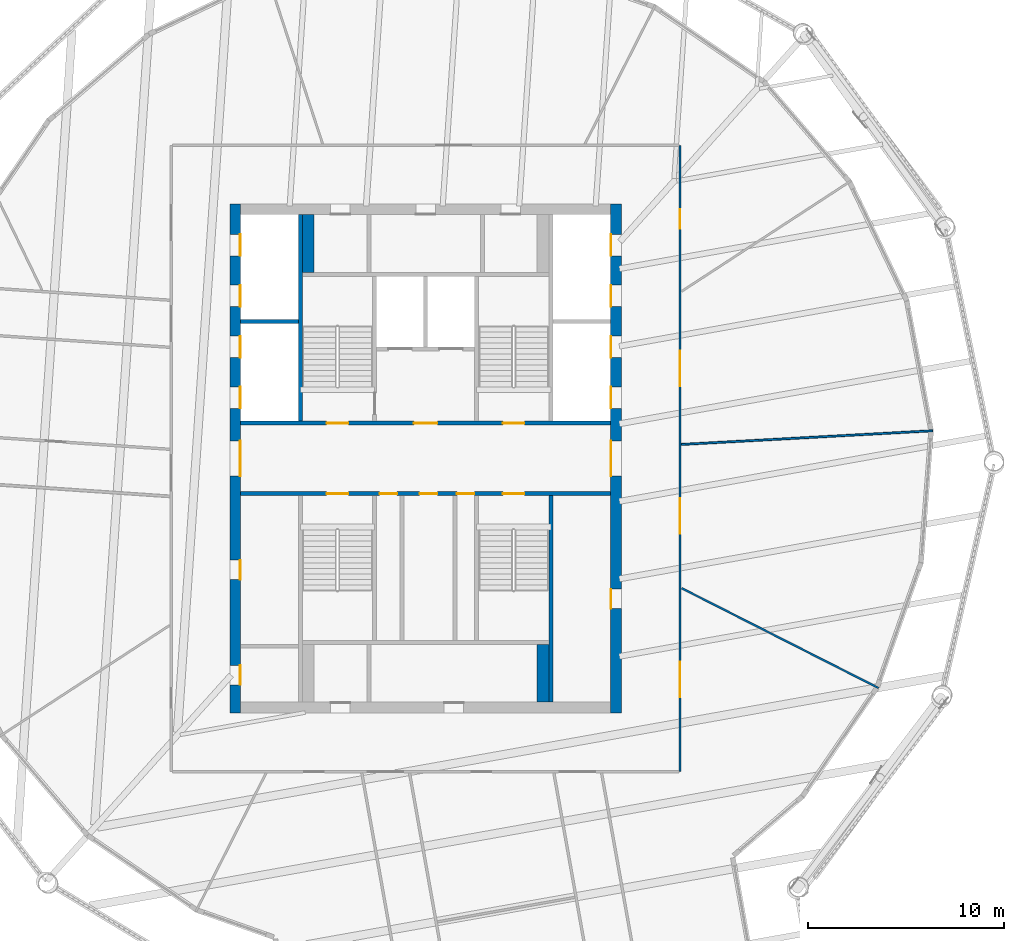
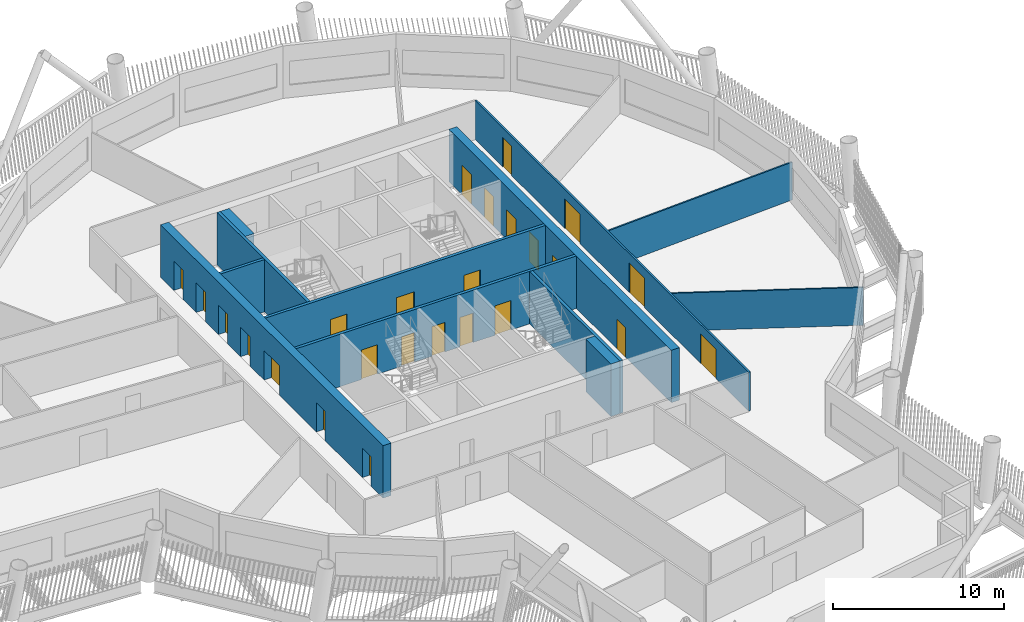
# One storey, part 5 of 22: 25 doors, 12 walls, 25 openings.
"""IFC4 building model written with IfcOpenShell, lengths in metres."""

import ifcopenshell
import ifcopenshell.guid

model = None  # the IFC model being written
_history = None  # IfcOwnerHistory: only IFC2X3 demands one
_inside = {}  # id of a spatial element -> (the spatial element, [elements in it])
_under = {}  # id of a project, library or spatial element -> (it, [spatial elements below it])
_declared = {}  # id of a project -> (the project, [libraries it declares])
_typed = {}  # id of a type object -> (the type object, [elements of that type])
_made_of = {}  # id of a material, layer set ... -> (it, [elements and type objects made of it])


def new_model(schema):
    """Start an empty IFC model of exactly this schema.

    Asked for "IFC4X3", IfcOpenShell would pick the latest addendum, in which some entities
    have other attributes; the version numbers below select the first issue.
    IFC2X3 requires an IfcOwnerHistory on every rooted entity: one is made here for all.
    """
    global model, _history
    if schema == "IFC4X3":
        model = ifcopenshell.file(schema_version=(4, 3, 0, 0))
    else:
        model = ifcopenshell.file(schema=schema)
    _inside.clear()
    _under.clear()
    _declared.clear()
    _typed.clear()
    _made_of.clear()
    _history = None
    if model.schema == "IFC2X3":
        org = make("IfcOrganization", Name="unknown")
        user = make(
            "IfcPersonAndOrganization",
            ThePerson=make("IfcPerson", FamilyName="unknown"),
            TheOrganization=org,
        )
        app = make(
            "IfcApplication",
            ApplicationDeveloper=org,
            Version="unknown",
            ApplicationFullName="unknown",
            ApplicationIdentifier="unknown",
        )
        _history = make(
            "IfcOwnerHistory",
            OwningUser=user,
            OwningApplication=app,
            ChangeAction="ADDED",
            CreationDate=0,
        )
    return model


def make(cls, **values):
    """One entity of the class cls with the attributes given. An attribute that is None is left unset."""
    return model.create_entity(
        cls, **{name: value for name, value in values.items() if value is not None}
    )


def rooted(cls, **values):
    """An entity with a GlobalId (a new one), such as an element, a storey or a relation."""
    return make(cls, GlobalId=ifcopenshell.guid.new(), OwnerHistory=_history, **values)


def si_unit(unit_type, name, prefix=None):
    """IfcSIUnit, for example si_unit("LENGTHUNIT", "METRE", prefix="MILLI")."""
    return make("IfcSIUnit", UnitType=unit_type, Prefix=prefix, Name=name)


def assignment(units):
    """IfcUnitAssignment: the units of a project."""
    return None if units is None else make("IfcUnitAssignment", Units=units)


def point(xyz):
    """IfcCartesianPoint."""
    return None if xyz is None else make("IfcCartesianPoint", Coordinates=xyz)


def direction(xyz):
    """IfcDirection."""
    return None if xyz is None else make("IfcDirection", DirectionRatios=xyz)


def frame(location, z_axis=None, x_axis=None):
    """IfcAxis2Placement3D, a coordinate frame: its origin and axes. An axis left out is left unset."""
    return make(
        "IfcAxis2Placement3D",
        Location=point(location),
        Axis=direction(z_axis),
        RefDirection=direction(x_axis),
    )


def frame_2d(location, x_axis=None):
    """IfcAxis2Placement2D, a coordinate frame in the plane: its origin and x axis."""
    return make(
        "IfcAxis2Placement2D", Location=point(location), RefDirection=direction(x_axis)
    )


def origin():
    """The frame at (0, 0, 0) with its axes left unset."""
    return frame((0.0, 0.0, 0.0))


def place(relative_to, where):
    """IfcLocalPlacement: puts the frame where relative to a parent placement (None: the world)."""
    return make(
        "IfcLocalPlacement", PlacementRelTo=relative_to, RelativePlacement=where
    )


def context(
    kind, dimensions, precision=None, world=None, true_north=None, identifier=None
):
    """IfcGeometricRepresentationContext, for example the 3D "Model" context."""
    return make(
        "IfcGeometricRepresentationContext",
        ContextIdentifier=identifier,
        ContextType=kind,
        CoordinateSpaceDimension=dimensions,
        Precision=precision,
        WorldCoordinateSystem=world,
        TrueNorth=true_north,
    )


def subcontext(parent, identifier, kind, view, scale=None):
    """IfcGeometricRepresentationSubContext, for example "Body" below "Model"."""
    return make(
        "IfcGeometricRepresentationSubContext",
        ContextIdentifier=identifier,
        ContextType=kind,
        ParentContext=parent,
        TargetScale=scale,
        TargetView=view,
    )


def project(units=None, contexts=None):
    """IfcProject with its units and contexts."""
    return rooted(
        "IfcProject",
        Name="project",
        RepresentationContexts=contexts,
        UnitsInContext=assignment(units),
    )


def spatial(cls, under=None, at=None, **own):
    """A site, building, storey or space (cls), placed at a placement, below another one or the project."""
    s = rooted(cls, ObjectPlacement=at, **own)
    if under is not None:
        _under.setdefault(under.id(), (under, []))[1].append(s)
    return s


def profile(cls, at=None, kind="AREA", **sizes):
    """A parametric profile (cls). Its sizes go by their IFC names, for example OverallWidth=200.0."""
    return make(cls, ProfileType=kind, Position=at, **sizes)


def rectangle(**sizes):
    """IfcRectangleProfileDef."""
    return profile("IfcRectangleProfileDef", **sizes)


def extrude(swept, where, along, depth):
    """IfcExtrudedAreaSolid: the profile swept, set in the frame where, extruded along a direction by depth."""
    return make(
        "IfcExtrudedAreaSolid",
        SweptArea=swept,
        Position=where,
        ExtrudedDirection=direction(along),
        Depth=depth,
    )


def shape(context_of_items, identifier, shape_type, items):
    """IfcShapeRepresentation: the items that make up one representation, for example the "Body"."""
    return make(
        "IfcShapeRepresentation",
        ContextOfItems=context_of_items,
        RepresentationIdentifier=identifier,
        RepresentationType=shape_type,
        Items=items,
    )


def material(Name=None, Category=None):
    """IfcMaterial."""
    return make("IfcMaterial", Name=Name, Category=Category)


def layer(
    of_material, thickness, ventilated=None, Name=None, Category=None, Priority=None
):
    """IfcMaterialLayer: one layer of a wall or slab, of a material (None: an air gap)."""
    return make(
        "IfcMaterialLayer",
        Material=of_material,
        LayerThickness=thickness,
        IsVentilated=ventilated,
        Name=Name,
        Category=Category,
        Priority=Priority,
    )


def layer_set(layers, Name=None):
    """IfcMaterialLayerSet."""
    return make("IfcMaterialLayerSet", MaterialLayers=layers, LayerSetName=Name)


def made_of(thing, what):
    """Note that an element or type object is made of a material, layer set ...; save() writes the relation."""
    if what is not None:
        _made_of.setdefault(what.id(), (what, []))[1].append(thing)
    return thing


def type_object(cls, material=None, **own):
    """A type object (cls), such as IfcWallType, which elements share."""
    return made_of(rooted(cls, **own), material)


def element(
    cls,
    number,
    at=None,
    inside=None,
    cuts=None,
    type_object=None,
    material=None,
    context=None,
    identifier="Body",
    shape_type=None,
    held_by="IfcProductDefinitionShape",
    body=None,
    shapes=None,
    **own,
):
    """One element of the class cls, such as IfcWall. Its Tag is "e" and its number.

    at: its placement. inside: the storey or other place that contains it. cuts: it is an
    opening in that element (IfcRelVoidsElement). A single representation is given by context,
    identifier, shape_type and body (its items); several are given by shapes. held_by: the class
    of the entity that holds the representations. save() writes the other relations.
    """
    e = rooted(cls, Tag="e%d" % number, ObjectPlacement=at, **own)
    if body is not None:
        shapes = [shape(context, identifier, shape_type, body)]
    if shapes is not None:
        e.Representation = make(held_by, Representations=shapes)
    if inside is not None:
        _inside.setdefault(inside.id(), (inside, []))[1].append(e)
    if cuts is not None:
        rooted(
            "IfcRelVoidsElement", RelatingBuildingElement=cuts, RelatedOpeningElement=e
        )
    if type_object is not None:
        _typed.setdefault(type_object.id(), (type_object, []))[1].append(e)
    return made_of(e, material)


def fill(opening, filler):
    """IfcRelFillsElement: the door or window that sits in an opening."""
    return rooted(
        "IfcRelFillsElement",
        RelatingOpeningElement=opening,
        RelatedBuildingElement=filler,
    )


def aggregate(whole, parts):
    """IfcRelAggregates: a whole, such as a stair, and the parts it consists of."""
    return rooted("IfcRelAggregates", RelatingObject=whole, RelatedObjects=parts)


def save(model, path):
    """Write the relations noted so far, then the file.

    IfcRelAggregates (storeys below a building ...), IfcRelContainedInSpatialStructure (elements
    in a storey), IfcRelDefinesByType, IfcRelAssociatesMaterial and IfcRelDeclares: one each for
    every whole, place, type object, material and project.
    """
    for whole, parts in _under.values():
        aggregate(whole, parts)
    for where, things in _inside.values():
        rooted(
            "IfcRelContainedInSpatialStructure",
            RelatedElements=things,
            RelatingStructure=where,
        )
    for kind, things in _typed.values():
        rooted("IfcRelDefinesByType", RelatedObjects=things, RelatingType=kind)
    for what, things in _made_of.values():
        rooted("IfcRelAssociatesMaterial", RelatedObjects=things, RelatingMaterial=what)
    for by, libraries in _declared.values():
        rooted("IfcRelDeclares", RelatingContext=by, RelatedDefinitions=libraries)
    model.write(path)


model = new_model("IFC4")

# Units and contexts
model_context = context("Model", 3, precision=1e-05, world=origin(), true_north=direction((0.0, 1.0)))
body_context = subcontext(model_context, "Body", "Model", "MODEL_VIEW")
ifc_project = project(units=[si_unit("LENGTHUNIT", "METRE"), si_unit("AREAUNIT", "SQUARE_METRE"), si_unit("VOLUMEUNIT", "CUBIC_METRE"), si_unit("PLANEANGLEUNIT", "RADIAN"), si_unit("MASSUNIT", "GRAM", prefix="KILO")], contexts=[model_context])

# Site, building, storey
site_placement = place(None, origin())
site = spatial("IfcSite", under=ifc_project, at=site_placement, CompositionType="ELEMENT")
building_placement = place(site_placement, origin())
building = spatial("IfcBuilding", under=site, at=building_placement, Name="Tarsis Ring Headquarters", CompositionType="ELEMENT")
storey_placement = place(building_placement, frame((0.0, 0.0, 270.800048828125)))
storey = spatial("IfcBuildingStorey", under=building, at=storey_placement, Name="L63", CompositionType="ELEMENT", Elevation=270.800048828125)

# Wall, openings, doors
ifc_material_1 = material(Name="Concrete C50/60", Category="concrete")
ifc_layer_1 = layer(ifc_material_1, 0.550048828125)
ifc_layer_set_1 = layer_set([ifc_layer_1], Name="Core wall 550 C50/60")
wall_type_1 = type_object("IfcWallType", Name="Core wall 550 C50/60", PredefinedType="SHEAR", material=ifc_layer_set_1)
wall_1_placement = place(storey_placement, frame((-9.72509765625, -13.0, 0.0), z_axis=(0.0, 0.0, 1.0), x_axis=(0.0, 1.0, 0.0)))
wall_1 = element("IfcWall", 1, at=wall_1_placement, inside=storey, type_object=wall_type_1, Name="Core wall OW", PredefinedType="SHEAR", context=body_context, shape_type="SweptSolid", body=[
    extrude(rectangle(XDim=26.0, YDim=0.550048828125, at=frame_2d((13.0, 0.0))), origin(), (0.0, 0.0, 1.0), 3.739990234375),
])
opening_1_placement = place(wall_1_placement, frame((1.425048828125, 0.0, 0.0)))
opening_1 = element("IfcOpeningElement", 2, at=opening_1_placement, cuts=wall_1, Name="Opening L63-C01", PredefinedType="OPENING", context=body_context, shape_type="SweptSolid", body=[
    extrude(rectangle(XDim=1.0, YDim=2.10009765625, at=frame_2d((0.5, 1.050048828125))), frame((0.0, 0.284912109375, 0.0), z_axis=(0.0, -1.0, 0.0), x_axis=(1.0, 0.0, 0.0)), (0.0, 0.0, 1.0), 0.570068359375),
])
opening_2_placement = place(wall_1_placement, frame((6.800048828125, 0.0, 0.0)))
opening_2 = element("IfcOpeningElement", 3, at=opening_2_placement, cuts=wall_1, Name="Opening L63-C02", PredefinedType="OPENING", context=body_context, shape_type="SweptSolid", body=[
    extrude(rectangle(XDim=1.0, YDim=2.10009765625, at=frame_2d((0.5, 1.050048828125))), frame((0.0, 0.284912109375, 0.0), z_axis=(0.0, -1.0, 0.0), x_axis=(1.0, 0.0, 0.0)), (0.0, 0.0, 1.0), 0.570068359375),
])
opening_3_placement = place(wall_1_placement, frame((12.10009765625, 0.0, 0.0)))
opening_3 = element("IfcOpeningElement", 4, at=opening_3_placement, cuts=wall_1, Name="Opening L63-C03", PredefinedType="OPENING", context=body_context, shape_type="SweptSolid", body=[
    extrude(rectangle(XDim=1.800048828125, YDim=2.10009765625, at=frame_2d((0.89990234375, 1.050048828125))), frame((0.0, 0.284912109375, 0.0), z_axis=(0.0, -1.0, 0.0), x_axis=(1.0, 0.0, 0.0)), (0.0, 0.0, 1.0), 0.570068359375),
])
opening_4_placement = place(wall_1_placement, frame((15.550048828125, 0.0, 0.0)))
opening_4 = element("IfcOpeningElement", 5, at=opening_4_placement, cuts=wall_1, Name="Opening LD-HR1", PredefinedType="OPENING", context=body_context, shape_type="SweptSolid", body=[
    extrude(rectangle(XDim=1.10009765625, YDim=2.10009765625, at=frame_2d((0.550048828125, 1.050048828125))), frame((0.0, 0.284912109375, 0.0), z_axis=(0.0, -1.0, 0.0), x_axis=(1.0, 0.0, 0.0)), (0.0, 0.0, 1.0), 0.570068359375),
])
opening_5_placement = place(wall_1_placement, frame((18.14990234375, 0.0, 0.0)))
opening_5 = element("IfcOpeningElement", 6, at=opening_5_placement, cuts=wall_1, Name="Opening LD-HR2", PredefinedType="OPENING", context=body_context, shape_type="SweptSolid", body=[
    extrude(rectangle(XDim=1.10009765625, YDim=2.10009765625, at=frame_2d((0.550048828125, 1.050048828125))), frame((0.0, 0.284912109375, 0.0), z_axis=(0.0, -1.0, 0.0), x_axis=(1.0, 0.0, 0.0)), (0.0, 0.0, 1.0), 0.570068359375),
])
opening_6_placement = place(wall_1_placement, frame((20.75, 0.0, 0.0)))
opening_6 = element("IfcOpeningElement", 7, at=opening_6_placement, cuts=wall_1, Name="Opening LD-HR3", PredefinedType="OPENING", context=body_context, shape_type="SweptSolid", body=[
    extrude(rectangle(XDim=1.10009765625, YDim=2.10009765625, at=frame_2d((0.550048828125, 1.050048828125))), frame((0.0, 0.284912109375, 0.0), z_axis=(0.0, -1.0, 0.0), x_axis=(1.0, 0.0, 0.0)), (0.0, 0.0, 1.0), 0.570068359375),
])
opening_7_placement = place(wall_1_placement, frame((23.35009765625, 0.0, 0.0)))
opening_7 = element("IfcOpeningElement", 8, at=opening_7_placement, cuts=wall_1, Name="Opening LD-HR4", PredefinedType="OPENING", context=body_context, shape_type="SweptSolid", body=[
    extrude(rectangle(XDim=1.10009765625, YDim=2.10009765625, at=frame_2d((0.550048828125, 1.050048828125))), frame((0.0, 0.284912109375, 0.0), z_axis=(0.0, -1.0, 0.0), x_axis=(1.0, 0.0, 0.0)), (0.0, 0.0, 1.0), 0.570068359375),
])
ifc_material_2 = material(Name="Steel S355", Category="steel")
door_type_1 = type_object("IfcDoorType", Name="Core entry door 1800x2100", OperationType="DOUBLE_DOOR_SINGLE_SWING", PredefinedType="DOOR", material=ifc_material_2)
door_1_placement = place(opening_3_placement, origin())
door_1 = element("IfcDoor", 9, at=door_1_placement, inside=storey, type_object=door_type_1, Name="Core entry door L63", OperationType="DOUBLE_DOOR_SINGLE_SWING", OverallHeight=2.10009765625, OverallWidth=1.800048828125, PredefinedType="DOOR", context=body_context, shape_type="SweptSolid", body=[
    extrude(rectangle(XDim=1.800048828125, YDim=2.10009765625, at=frame_2d((0.89990234375, 1.050048828125))), frame((0.0, -0.22509765625, 0.0), z_axis=(0.0, -1.0, 0.0), x_axis=(1.0, 0.0, 0.0)), (0.0, 0.0, 1.0), 0.050048828125),
])
fill(opening_3, door_1)
door_type_2 = type_object("IfcDoorType", Name="Core room door 1000x2100", OperationType="SINGLE_SWING_LEFT", PredefinedType="DOOR", material=ifc_material_2)
door_2_placement = place(opening_1_placement, origin())
door_2 = element("IfcDoor", 10, at=door_2_placement, inside=storey, type_object=door_type_2, Name="Core room door L63", OperationType="SINGLE_SWING_LEFT", OverallHeight=2.10009765625, OverallWidth=1.0, PredefinedType="DOOR", context=body_context, shape_type="SweptSolid", body=[
    extrude(rectangle(XDim=1.0, YDim=2.10009765625, at=frame_2d((0.5, 1.050048828125))), frame((0.0, -0.22509765625, 0.0), z_axis=(0.0, -1.0, 0.0), x_axis=(1.0, 0.0, 0.0)), (0.0, 0.0, 1.0), 0.050048828125),
])
fill(opening_1, door_2)
door_3_placement = place(opening_2_placement, origin())
door_3 = element("IfcDoor", 11, at=door_3_placement, inside=storey, type_object=door_type_2, Name="Core room door L63", OperationType="SINGLE_SWING_LEFT", OverallHeight=2.10009765625, OverallWidth=1.0, PredefinedType="DOOR", context=body_context, shape_type="SweptSolid", body=[
    extrude(rectangle(XDim=1.0, YDim=2.10009765625, at=frame_2d((0.5, 1.050048828125))), frame((0.0, -0.22509765625, 0.0), z_axis=(0.0, -1.0, 0.0), x_axis=(1.0, 0.0, 0.0)), (0.0, 0.0, 1.0), 0.050048828125),
])
fill(opening_2, door_3)
door_type_3 = type_object("IfcDoorType", Name="Landing door 1100x2100", OperationType="SLIDING_TO_LEFT", PredefinedType="DOOR", material=ifc_material_2)
door_4_placement = place(opening_4_placement, origin())
door_4 = element("IfcDoor", 12, at=door_4_placement, inside=storey, type_object=door_type_3, Name="Landing door HR1 L63", OperationType="SLIDING_TO_LEFT", OverallHeight=2.10009765625, OverallWidth=1.10009765625, PredefinedType="DOOR", context=body_context, shape_type="SweptSolid", body=[
    extrude(rectangle(XDim=1.10009765625, YDim=2.10009765625, at=frame_2d((0.550048828125, 1.050048828125))), frame((0.0, -0.22509765625, 0.0), z_axis=(0.0, -1.0, 0.0), x_axis=(1.0, 0.0, 0.0)), (0.0, 0.0, 1.0), 0.050048828125),
])
fill(opening_4, door_4)
door_5_placement = place(opening_5_placement, origin())
door_5 = element("IfcDoor", 13, at=door_5_placement, inside=storey, type_object=door_type_3, Name="Landing door HR2 L63", OperationType="SLIDING_TO_LEFT", OverallHeight=2.10009765625, OverallWidth=1.10009765625, PredefinedType="DOOR", context=body_context, shape_type="SweptSolid", body=[
    extrude(rectangle(XDim=1.10009765625, YDim=2.10009765625, at=frame_2d((0.550048828125, 1.050048828125))), frame((0.0, -0.22509765625, 0.0), z_axis=(0.0, -1.0, 0.0), x_axis=(1.0, 0.0, 0.0)), (0.0, 0.0, 1.0), 0.050048828125),
])
fill(opening_5, door_5)
door_6_placement = place(opening_6_placement, origin())
door_6 = element("IfcDoor", 14, at=door_6_placement, inside=storey, type_object=door_type_3, Name="Landing door HR3 L63", OperationType="SLIDING_TO_LEFT", OverallHeight=2.10009765625, OverallWidth=1.10009765625, PredefinedType="DOOR", context=body_context, shape_type="SweptSolid", body=[
    extrude(rectangle(XDim=1.10009765625, YDim=2.10009765625, at=frame_2d((0.550048828125, 1.050048828125))), frame((0.0, -0.22509765625, 0.0), z_axis=(0.0, -1.0, 0.0), x_axis=(1.0, 0.0, 0.0)), (0.0, 0.0, 1.0), 0.050048828125),
])
fill(opening_6, door_6)
door_7_placement = place(opening_7_placement, origin())
door_7 = element("IfcDoor", 15, at=door_7_placement, inside=storey, type_object=door_type_3, Name="Landing door HR4 L63", OperationType="SLIDING_TO_LEFT", OverallHeight=2.10009765625, OverallWidth=1.10009765625, PredefinedType="DOOR", context=body_context, shape_type="SweptSolid", body=[
    extrude(rectangle(XDim=1.10009765625, YDim=2.10009765625, at=frame_2d((0.550048828125, 1.050048828125))), frame((0.0, -0.22509765625, 0.0), z_axis=(0.0, -1.0, 0.0), x_axis=(1.0, 0.0, 0.0)), (0.0, 0.0, 1.0), 0.050048828125),
])
fill(opening_7, door_7)

wall_2_placement = place(storey_placement, frame((9.72509765625, -13.0, 0.0), z_axis=(0.0, 0.0, 1.0), x_axis=(0.0, 1.0, 0.0)))
wall_2 = element("IfcWall", 16, at=wall_2_placement, inside=storey, type_object=wall_type_1, Name="Core wall OE", PredefinedType="SHEAR", context=body_context, shape_type="SweptSolid", body=[
    extrude(rectangle(XDim=26.0, YDim=0.550048828125, at=frame_2d((13.0, 0.0))), origin(), (0.0, 0.0, 1.0), 3.739990234375),
])
opening_8_placement = place(wall_2_placement, frame((5.324951171875, 0.0, 0.0)))
opening_8 = element("IfcOpeningElement", 17, at=opening_8_placement, cuts=wall_2, Name="Opening L63-C08", PredefinedType="OPENING", context=body_context, shape_type="SweptSolid", body=[
    extrude(rectangle(XDim=1.0, YDim=2.10009765625, at=frame_2d((0.5, 1.050048828125))), frame((0.0, 0.284912109375, 0.0), z_axis=(0.0, -1.0, 0.0), x_axis=(1.0, 0.0, 0.0)), (0.0, 0.0, 1.0), 0.570068359375),
])
opening_9_placement = place(wall_2_placement, frame((12.10009765625, 0.0, 0.0)))
opening_9 = element("IfcOpeningElement", 18, at=opening_9_placement, cuts=wall_2, Name="Opening L63-C09", PredefinedType="OPENING", context=body_context, shape_type="SweptSolid", body=[
    extrude(rectangle(XDim=1.800048828125, YDim=2.10009765625, at=frame_2d((0.89990234375, 1.050048828125))), frame((0.0, 0.284912109375, 0.0), z_axis=(0.0, -1.0, 0.0), x_axis=(1.0, 0.0, 0.0)), (0.0, 0.0, 1.0), 0.570068359375),
])
opening_10_placement = place(wall_2_placement, frame((15.550048828125, 0.0, 0.0)))
opening_10 = element("IfcOpeningElement", 19, at=opening_10_placement, cuts=wall_2, Name="Opening LD-HR5", PredefinedType="OPENING", context=body_context, shape_type="SweptSolid", body=[
    extrude(rectangle(XDim=1.10009765625, YDim=2.10009765625, at=frame_2d((0.550048828125, 1.050048828125))), frame((0.0, 0.284912109375, 0.0), z_axis=(0.0, -1.0, 0.0), x_axis=(1.0, 0.0, 0.0)), (0.0, 0.0, 1.0), 0.570068359375),
])
opening_11_placement = place(wall_2_placement, frame((18.14990234375, 0.0, 0.0)))
opening_11 = element("IfcOpeningElement", 20, at=opening_11_placement, cuts=wall_2, Name="Opening LD-HR6", PredefinedType="OPENING", context=body_context, shape_type="SweptSolid", body=[
    extrude(rectangle(XDim=1.10009765625, YDim=2.10009765625, at=frame_2d((0.550048828125, 1.050048828125))), frame((0.0, 0.284912109375, 0.0), z_axis=(0.0, -1.0, 0.0), x_axis=(1.0, 0.0, 0.0)), (0.0, 0.0, 1.0), 0.570068359375),
])
opening_12_placement = place(wall_2_placement, frame((20.75, 0.0, 0.0)))
opening_12 = element("IfcOpeningElement", 21, at=opening_12_placement, cuts=wall_2, Name="Opening LD-HR7", PredefinedType="OPENING", context=body_context, shape_type="SweptSolid", body=[
    extrude(rectangle(XDim=1.10009765625, YDim=2.10009765625, at=frame_2d((0.550048828125, 1.050048828125))), frame((0.0, 0.284912109375, 0.0), z_axis=(0.0, -1.0, 0.0), x_axis=(1.0, 0.0, 0.0)), (0.0, 0.0, 1.0), 0.570068359375),
])
opening_13_placement = place(wall_2_placement, frame((23.35009765625, 0.0, 0.0)))
opening_13 = element("IfcOpeningElement", 22, at=opening_13_placement, cuts=wall_2, Name="Opening LD-HR8", PredefinedType="OPENING", context=body_context, shape_type="SweptSolid", body=[
    extrude(rectangle(XDim=1.10009765625, YDim=2.10009765625, at=frame_2d((0.550048828125, 1.050048828125))), frame((0.0, 0.284912109375, 0.0), z_axis=(0.0, -1.0, 0.0), x_axis=(1.0, 0.0, 0.0)), (0.0, 0.0, 1.0), 0.570068359375),
])
door_8_placement = place(opening_9_placement, origin())
door_8 = element("IfcDoor", 23, at=door_8_placement, inside=storey, type_object=door_type_1, Name="Core entry door L63", OperationType="DOUBLE_DOOR_SINGLE_SWING", OverallHeight=2.10009765625, OverallWidth=1.800048828125, PredefinedType="DOOR", context=body_context, shape_type="SweptSolid", body=[
    extrude(rectangle(XDim=1.800048828125, YDim=2.10009765625, at=frame_2d((0.89990234375, 1.050048828125))), frame((0.0, 0.27490234375, 0.0), z_axis=(0.0, -1.0, 0.0), x_axis=(1.0, 0.0, 0.0)), (0.0, 0.0, 1.0), 0.050048828125),
])
fill(opening_9, door_8)
door_9_placement = place(opening_8_placement, origin())
door_9 = element("IfcDoor", 24, at=door_9_placement, inside=storey, type_object=door_type_2, Name="Core room door L63", OperationType="SINGLE_SWING_LEFT", OverallHeight=2.10009765625, OverallWidth=1.0, PredefinedType="DOOR", context=body_context, shape_type="SweptSolid", body=[
    extrude(rectangle(XDim=1.0, YDim=2.10009765625, at=frame_2d((0.5, 1.050048828125))), frame((0.0, 0.27490234375, 0.0), z_axis=(0.0, -1.0, 0.0), x_axis=(1.0, 0.0, 0.0)), (0.0, 0.0, 1.0), 0.050048828125),
])
fill(opening_8, door_9)
door_10_placement = place(opening_10_placement, origin())
door_10 = element("IfcDoor", 25, at=door_10_placement, inside=storey, type_object=door_type_3, Name="Landing door HR5 L63", OperationType="SLIDING_TO_LEFT", OverallHeight=2.10009765625, OverallWidth=1.10009765625, PredefinedType="DOOR", context=body_context, shape_type="SweptSolid", body=[
    extrude(rectangle(XDim=1.10009765625, YDim=2.10009765625, at=frame_2d((0.550048828125, 1.050048828125))), frame((0.0, 0.27490234375, 0.0), z_axis=(0.0, -1.0, 0.0), x_axis=(1.0, 0.0, 0.0)), (0.0, 0.0, 1.0), 0.050048828125),
])
fill(opening_10, door_10)
door_11_placement = place(opening_11_placement, origin())
door_11 = element("IfcDoor", 26, at=door_11_placement, inside=storey, type_object=door_type_3, Name="Landing door HR6 L63", OperationType="SLIDING_TO_LEFT", OverallHeight=2.10009765625, OverallWidth=1.10009765625, PredefinedType="DOOR", context=body_context, shape_type="SweptSolid", body=[
    extrude(rectangle(XDim=1.10009765625, YDim=2.10009765625, at=frame_2d((0.550048828125, 1.050048828125))), frame((0.0, 0.27490234375, 0.0), z_axis=(0.0, -1.0, 0.0), x_axis=(1.0, 0.0, 0.0)), (0.0, 0.0, 1.0), 0.050048828125),
])
fill(opening_11, door_11)
door_12_placement = place(opening_12_placement, origin())
door_12 = element("IfcDoor", 27, at=door_12_placement, inside=storey, type_object=door_type_3, Name="Landing door HR7 L63", OperationType="SLIDING_TO_LEFT", OverallHeight=2.10009765625, OverallWidth=1.10009765625, PredefinedType="DOOR", context=body_context, shape_type="SweptSolid", body=[
    extrude(rectangle(XDim=1.10009765625, YDim=2.10009765625, at=frame_2d((0.550048828125, 1.050048828125))), frame((0.0, 0.27490234375, 0.0), z_axis=(0.0, -1.0, 0.0), x_axis=(1.0, 0.0, 0.0)), (0.0, 0.0, 1.0), 0.050048828125),
])
fill(opening_12, door_12)
door_13_placement = place(opening_13_placement, origin())
door_13 = element("IfcDoor", 28, at=door_13_placement, inside=storey, type_object=door_type_3, Name="Landing door HR8 L63", OperationType="SLIDING_TO_LEFT", OverallHeight=2.10009765625, OverallWidth=1.10009765625, PredefinedType="DOOR", context=body_context, shape_type="SweptSolid", body=[
    extrude(rectangle(XDim=1.10009765625, YDim=2.10009765625, at=frame_2d((0.550048828125, 1.050048828125))), frame((0.0, 0.27490234375, 0.0), z_axis=(0.0, -1.0, 0.0), x_axis=(1.0, 0.0, 0.0)), (0.0, 0.0, 1.0), 0.050048828125),
])
fill(opening_13, door_13)

# Walls
ifc_material_3 = material(Name="Gypsum board on steel studs", Category="steel")
ifc_layer_2 = layer(ifc_material_3, 0.10009765625)
ifc_layer_set_2 = layer_set([ifc_layer_2], Name="FL partition 100 unrated")
wall_type_2 = type_object("IfcWallType", Name="FL partition 100 unrated", PredefinedType="PARTITIONING", material=ifc_layer_set_2)
wall_3_placement = place(storey_placement, frame((13.06982421875, 0.71240234375, 0.0), z_axis=(0.0, 0.0, 1.0), x_axis=(0.998517359557, 0.054434204899, 0.0)))
element("IfcWall", 29, at=wall_3_placement, inside=storey, type_object=wall_type_2, Name="Partition PW3", PredefinedType="PARTITIONING", context=body_context, shape_type="SweptSolid", body=[
    extrude(rectangle(XDim=12.858642578125, YDim=0.10009765625, at=frame_2d((6.42919921875, 0.0))), origin(), (0.0, 0.0, 1.0), 2.699951171875),
])
wall_4_placement = place(storey_placement, frame((13.080322265625, -6.63037109375, 0.0), z_axis=(0.0, 0.0, 1.0), x_axis=(0.891955620219, -0.452122960664, 0.0)))
element("IfcWall", 30, at=wall_4_placement, inside=storey, type_object=wall_type_2, Name="Partition PW3", PredefinedType="PARTITIONING", context=body_context, shape_type="SweptSolid", body=[
    extrude(rectangle(XDim=11.282958984375, YDim=0.10009765625, at=frame_2d((5.6416015625, 0.0))), origin(), (0.0, 0.0, 1.0), 2.699951171875),
])

# Wall, openings, doors
ifc_layer_3 = layer(ifc_material_3, 0.125)
ifc_layer_set_3 = layer_set([ifc_layer_3], Name="FL partition 125 EI 60 H2770")
wall_type_3 = type_object("IfcWallType", Name="FL partition 125 EI 60 H2770", PredefinedType="PARTITIONING", material=ifc_layer_set_3)
wall_5_placement = place(storey_placement, frame((13.0, -16.0, 0.0), z_axis=(0.0, 0.0, 1.0), x_axis=(0.0, 1.0, 0.0)))
wall_5 = element("IfcWall", 31, at=wall_5_placement, inside=storey, type_object=wall_type_3, Name="Partition PW1", PredefinedType="PARTITIONING", context=body_context, shape_type="SweptSolid", body=[
    extrude(rectangle(XDim=32.0, YDim=0.125, at=frame_2d((16.0, 0.0))), origin(), (0.0, 0.0, 1.0), 2.77001953125),
])
opening_14_placement = place(wall_5_placement, frame((27.740478515625, 0.0, 0.0)))
opening_14 = element("IfcOpeningElement", 32, at=opening_14_placement, cuts=wall_5, Name="Opening D63.05", PredefinedType="OPENING", context=body_context, shape_type="SweptSolid", body=[
    extrude(rectangle(XDim=1.0, YDim=2.10009765625, at=frame_2d((0.5, 1.050048828125))), frame((0.0, 0.072509765625, 0.0), z_axis=(0.0, -1.0, 0.0), x_axis=(1.0, 0.0, 0.0)), (0.0, 0.0, 1.0), 0.14501953125),
])
opening_15_placement = place(wall_5_placement, frame((19.69482421875, 0.0, 0.0)))
opening_15 = element("IfcOpeningElement", 33, at=opening_15_placement, cuts=wall_5, Name="Opening D63.06", PredefinedType="OPENING", context=body_context, shape_type="SweptSolid", body=[
    extrude(rectangle(XDim=1.800048828125, YDim=2.10009765625, at=frame_2d((0.89990234375, 1.050048828125))), frame((0.0, 0.072509765625, 0.0), z_axis=(0.0, -1.0, 0.0), x_axis=(1.0, 0.0, 0.0)), (0.0, 0.0, 1.0), 0.14501953125),
])
opening_16_placement = place(wall_5_placement, frame((12.159423828125, 0.0, 0.0)))
opening_16 = element("IfcOpeningElement", 34, at=opening_16_placement, cuts=wall_5, Name="Opening D63.07", PredefinedType="OPENING", context=body_context, shape_type="SweptSolid", body=[
    extrude(rectangle(XDim=1.800048828125, YDim=2.10009765625, at=frame_2d((0.89990234375, 1.050048828125))), frame((0.0, 0.072509765625, 0.0), z_axis=(0.0, -1.0, 0.0), x_axis=(1.0, 0.0, 0.0)), (0.0, 0.0, 1.0), 0.14501953125),
])
opening_17_placement = place(wall_5_placement, frame((3.80517578125, 0.0, 0.0)))
opening_17 = element("IfcOpeningElement", 35, at=opening_17_placement, cuts=wall_5, Name="Opening D63.08", PredefinedType="OPENING", context=body_context, shape_type="SweptSolid", body=[
    extrude(rectangle(XDim=1.800048828125, YDim=2.10009765625, at=frame_2d((0.89990234375, 1.050048828125))), frame((0.0, 0.072509765625, 0.0), z_axis=(0.0, -1.0, 0.0), x_axis=(1.0, 0.0, 0.0)), (0.0, 0.0, 1.0), 0.14501953125),
])
ifc_material_4 = material(Name="Fire-rated timber door leaf in steel frame", Category="steel")
door_type_4 = type_object("IfcDoorType", Name="FL door FD60-1000", OperationType="NOTDEFINED", PredefinedType="DOOR", material=ifc_material_4)
door_14_placement = place(opening_14_placement, origin())
door_14 = element("IfcDoor", 36, at=door_14_placement, inside=storey, type_object=door_type_4, Name="Door D63.05", OperationType="SINGLE_SWING_RIGHT", OverallHeight=2.10009765625, OverallWidth=1.0, PredefinedType="DOOR", context=body_context, shape_type="SweptSolid", body=[
    extrude(rectangle(XDim=1.0, YDim=2.10009765625, at=frame_2d((0.5, 1.050048828125))), frame((0.0, 0.02490234375, 0.0), z_axis=(0.0, -1.0, 0.0), x_axis=(1.0, 0.0, 0.0)), (0.0, 0.0, 1.0), 0.050048828125),
])
fill(opening_14, door_14)
door_type_5 = type_object("IfcDoorType", Name="FL door FD60-1800", OperationType="DOUBLE_DOOR_SINGLE_SWING", PredefinedType="DOOR", material=ifc_material_4)
door_15_placement = place(opening_15_placement, origin())
door_15 = element("IfcDoor", 37, at=door_15_placement, inside=storey, type_object=door_type_5, Name="Door D63.06", OperationType="DOUBLE_DOOR_SINGLE_SWING", OverallHeight=2.10009765625, OverallWidth=1.800048828125, PredefinedType="DOOR", context=body_context, shape_type="SweptSolid", body=[
    extrude(rectangle(XDim=1.800048828125, YDim=2.10009765625, at=frame_2d((0.89990234375, 1.050048828125))), frame((0.0, 0.02490234375, 0.0), z_axis=(0.0, -1.0, 0.0), x_axis=(1.0, 0.0, 0.0)), (0.0, 0.0, 1.0), 0.050048828125),
])
fill(opening_15, door_15)
door_16_placement = place(opening_16_placement, origin())
door_16 = element("IfcDoor", 38, at=door_16_placement, inside=storey, type_object=door_type_5, Name="Door D63.07", OperationType="DOUBLE_DOOR_SINGLE_SWING", OverallHeight=2.10009765625, OverallWidth=1.800048828125, PredefinedType="DOOR", context=body_context, shape_type="SweptSolid", body=[
    extrude(rectangle(XDim=1.800048828125, YDim=2.10009765625, at=frame_2d((0.89990234375, 1.050048828125))), frame((0.0, 0.02490234375, 0.0), z_axis=(0.0, -1.0, 0.0), x_axis=(1.0, 0.0, 0.0)), (0.0, 0.0, 1.0), 0.050048828125),
])
fill(opening_16, door_16)
door_17_placement = place(opening_17_placement, origin())
door_17 = element("IfcDoor", 39, at=door_17_placement, inside=storey, type_object=door_type_5, Name="Door D63.08", OperationType="DOUBLE_DOOR_SINGLE_SWING", OverallHeight=2.10009765625, OverallWidth=1.800048828125, PredefinedType="DOOR", context=body_context, shape_type="SweptSolid", body=[
    extrude(rectangle(XDim=1.800048828125, YDim=2.10009765625, at=frame_2d((0.89990234375, 1.050048828125))), frame((0.0, 0.02490234375, 0.0), z_axis=(0.0, -1.0, 0.0), x_axis=(1.0, 0.0, 0.0)), (0.0, 0.0, 1.0), 0.050048828125),
])
fill(opening_17, door_17)

# Walls
ifc_material_5 = material(Name="Concrete C32/40", Category="concrete")
ifc_layer_4 = layer(ifc_material_5, 0.60009765625)
ifc_layer_set_4 = layer_set([ifc_layer_4], Name="Shaft end wall 600 C32/40")
wall_type_4 = type_object("IfcWallType", Name="Shaft end wall 600 C32/40", PredefinedType="SOLIDWALL", material=ifc_layer_set_4)
for number, where, z_axis, x_axis, name in (
    (40, (-6.0, 9.5, 0.0), (0.0, 0.0, 1.0), (0.0, 1.0, 0.0), "Core shaft wall NNE1"),
    (41, (6.0, -12.449951171875, 0.0), (0.0, 0.0, 1.0), (0.0, 1.0, 0.0), "Core shaft wall SNE2"),
):
    element("IfcWall", number, at=place(storey_placement, frame(where, z_axis=z_axis, x_axis=x_axis)), inside=storey, type_object=wall_type_4, Name=name, PredefinedType="SOLIDWALL", context=body_context, shape_type="SweptSolid", body=[
        extrude(rectangle(XDim=2.949951171875, YDim=0.60009765625, at=frame_2d((1.47509765625, 0.0))), origin(), (0.0, 0.0, 1.0), 3.739990234375),
    ])

# Wall, openings, doors
ifc_layer_5 = layer(ifc_material_5, 0.199951171875)
ifc_layer_set_5 = layer_set([ifc_layer_5], Name="Shaft wall 200 C32/40")
wall_type_5 = type_object("IfcWallType", Name="Shaft wall 200 C32/40", PredefinedType="SOLIDWALL", material=ifc_layer_set_5)
wall_6_placement = place(storey_placement, frame((-9.449951171875, 1.800048828125, 0.0), z_axis=(0.0, 0.0, 1.0), x_axis=(1.0, 0.0, 0.0)))
wall_6 = element("IfcWall", 42, at=wall_6_placement, inside=storey, type_object=wall_type_5, Name="Core shaft wall CN", PredefinedType="SOLIDWALL", context=body_context, shape_type="SweptSolid", body=[
    extrude(rectangle(XDim=18.89990234375, YDim=0.199951171875, at=frame_2d((9.449951171875, 0.0))), origin(), (0.0, 0.0, 1.0), 3.739990234375),
])
opening_18_placement = place(wall_6_placement, frame((4.39990234375, 0.0, 0.0)))
opening_18 = element("IfcOpeningElement", 43, at=opening_18_placement, cuts=wall_6, Name="Opening L63-C19", PredefinedType="OPENING", context=body_context, shape_type="SweptSolid", body=[
    extrude(rectangle(XDim=1.10009765625, YDim=2.10009765625, at=frame_2d((0.550048828125, 1.050048828125))), frame((0.0, 0.10986328125, 0.0), z_axis=(0.0, -1.0, 0.0), x_axis=(1.0, 0.0, 0.0)), (0.0, 0.0, 1.0), 0.219970703125),
])
opening_19_placement = place(wall_6_placement, frame((8.85009765625, 0.0, 0.0)))
opening_19 = element("IfcOpeningElement", 44, at=opening_19_placement, cuts=wall_6, Name="Opening L63-C20", PredefinedType="OPENING", context=body_context, shape_type="SweptSolid", body=[
    extrude(rectangle(XDim=1.199951171875, YDim=2.10009765625, at=frame_2d((0.60009765625, 1.050048828125))), frame((0.0, 0.10986328125, 0.0), z_axis=(0.0, -1.0, 0.0), x_axis=(1.0, 0.0, 0.0)), (0.0, 0.0, 1.0), 0.219970703125),
])
opening_20_placement = place(wall_6_placement, frame((13.39990234375, 0.0, 0.0)))
opening_20 = element("IfcOpeningElement", 45, at=opening_20_placement, cuts=wall_6, Name="Opening L63-C21", PredefinedType="OPENING", context=body_context, shape_type="SweptSolid", body=[
    extrude(rectangle(XDim=1.10009765625, YDim=2.10009765625, at=frame_2d((0.550048828125, 1.050048828125))), frame((0.0, 0.10986328125, 0.0), z_axis=(0.0, -1.0, 0.0), x_axis=(1.0, 0.0, 0.0)), (0.0, 0.0, 1.0), 0.219970703125),
])
door_type_6 = type_object("IfcDoorType", Name="Firefighting lobby door 1200x2100", OperationType="DOUBLE_DOOR_SINGLE_SWING", PredefinedType="DOOR", material=ifc_material_2)
door_18_placement = place(opening_19_placement, origin())
door_18 = element("IfcDoor", 46, at=door_18_placement, inside=storey, type_object=door_type_6, Name="Firefighting lobby door L63", OperationType="DOUBLE_DOOR_SINGLE_SWING", OverallHeight=2.10009765625, OverallWidth=1.199951171875, PredefinedType="DOOR", context=body_context, shape_type="SweptSolid", body=[
    extrude(rectangle(XDim=1.199951171875, YDim=2.10009765625, at=frame_2d((0.60009765625, 1.050048828125))), frame((0.0, 0.02490234375, 0.0), z_axis=(0.0, -1.0, 0.0), x_axis=(1.0, 0.0, 0.0)), (0.0, 0.0, 1.0), 0.050048828125),
])
fill(opening_19, door_18)
door_type_7 = type_object("IfcDoorType", Name="Stair door 1100x2100", OperationType="SINGLE_SWING_LEFT", PredefinedType="DOOR", material=ifc_material_2)
door_19_placement = place(opening_18_placement, origin())
door_19 = element("IfcDoor", 47, at=door_19_placement, inside=storey, type_object=door_type_7, Name="Stair door L63", OperationType="SINGLE_SWING_LEFT", OverallHeight=2.10009765625, OverallWidth=1.10009765625, PredefinedType="DOOR", context=body_context, shape_type="SweptSolid", body=[
    extrude(rectangle(XDim=1.10009765625, YDim=2.10009765625, at=frame_2d((0.550048828125, 1.050048828125))), frame((0.0, 0.02490234375, 0.0), z_axis=(0.0, -1.0, 0.0), x_axis=(1.0, 0.0, 0.0)), (0.0, 0.0, 1.0), 0.050048828125),
])
fill(opening_18, door_19)
door_20_placement = place(opening_20_placement, origin())
door_20 = element("IfcDoor", 48, at=door_20_placement, inside=storey, type_object=door_type_7, Name="Stair door L63", OperationType="SINGLE_SWING_LEFT", OverallHeight=2.10009765625, OverallWidth=1.10009765625, PredefinedType="DOOR", context=body_context, shape_type="SweptSolid", body=[
    extrude(rectangle(XDim=1.10009765625, YDim=2.10009765625, at=frame_2d((0.550048828125, 1.050048828125))), frame((0.0, 0.02490234375, 0.0), z_axis=(0.0, -1.0, 0.0), x_axis=(1.0, 0.0, 0.0)), (0.0, 0.0, 1.0), 0.050048828125),
])
fill(opening_20, door_20)

wall_7_placement = place(storey_placement, frame((-9.449951171875, -1.800048828125, 0.0), z_axis=(0.0, 0.0, 1.0), x_axis=(1.0, 0.0, 0.0)))
wall_7 = element("IfcWall", 49, at=wall_7_placement, inside=storey, type_object=wall_type_5, Name="Core shaft wall CS", PredefinedType="SOLIDWALL", context=body_context, shape_type="SweptSolid", body=[
    extrude(rectangle(XDim=18.89990234375, YDim=0.199951171875, at=frame_2d((9.449951171875, 0.0))), origin(), (0.0, 0.0, 1.0), 3.739990234375),
])
opening_21_placement = place(wall_7_placement, frame((4.39990234375, 0.0, 0.0)))
opening_21 = element("IfcOpeningElement", 50, at=opening_21_placement, cuts=wall_7, Name="Opening L63-C22", PredefinedType="OPENING", context=body_context, shape_type="SweptSolid", body=[
    extrude(rectangle(XDim=1.10009765625, YDim=2.10009765625, at=frame_2d((0.550048828125, 1.050048828125))), frame((0.0, 0.10986328125, 0.0), z_axis=(0.0, -1.0, 0.0), x_axis=(1.0, 0.0, 0.0)), (0.0, 0.0, 1.0), 0.219970703125),
])
opening_22_placement = place(wall_7_placement, frame((7.10009765625, 0.0, 0.0)))
opening_22 = element("IfcOpeningElement", 51, at=opening_22_placement, cuts=wall_7, Name="Opening L63-C23", PredefinedType="OPENING", context=body_context, shape_type="SweptSolid", body=[
    extrude(rectangle(XDim=0.89990234375, YDim=2.10009765625, at=frame_2d((0.449951171875, 1.050048828125))), frame((0.0, 0.10986328125, 0.0), z_axis=(0.0, -1.0, 0.0), x_axis=(1.0, 0.0, 0.0)), (0.0, 0.0, 1.0), 0.219970703125),
])
opening_23_placement = place(wall_7_placement, frame((9.14990234375, 0.0, 0.0)))
opening_23 = element("IfcOpeningElement", 52, at=opening_23_placement, cuts=wall_7, Name="Opening L63-C24", PredefinedType="OPENING", context=body_context, shape_type="SweptSolid", body=[
    extrude(rectangle(XDim=0.89990234375, YDim=2.10009765625, at=frame_2d((0.449951171875, 1.050048828125))), frame((0.0, 0.10986328125, 0.0), z_axis=(0.0, -1.0, 0.0), x_axis=(1.0, 0.0, 0.0)), (0.0, 0.0, 1.0), 0.219970703125),
])
opening_24_placement = place(wall_7_placement, frame((11.050048828125, 0.0, 0.0)))
opening_24 = element("IfcOpeningElement", 53, at=opening_24_placement, cuts=wall_7, Name="Opening L63-C25", PredefinedType="OPENING", context=body_context, shape_type="SweptSolid", body=[
    extrude(rectangle(XDim=0.89990234375, YDim=2.10009765625, at=frame_2d((0.449951171875, 1.050048828125))), frame((0.0, 0.10986328125, 0.0), z_axis=(0.0, -1.0, 0.0), x_axis=(1.0, 0.0, 0.0)), (0.0, 0.0, 1.0), 0.219970703125),
])
opening_25_placement = place(wall_7_placement, frame((13.39990234375, 0.0, 0.0)))
opening_25 = element("IfcOpeningElement", 54, at=opening_25_placement, cuts=wall_7, Name="Opening L63-C26", PredefinedType="OPENING", context=body_context, shape_type="SweptSolid", body=[
    extrude(rectangle(XDim=1.10009765625, YDim=2.10009765625, at=frame_2d((0.550048828125, 1.050048828125))), frame((0.0, 0.10986328125, 0.0), z_axis=(0.0, -1.0, 0.0), x_axis=(1.0, 0.0, 0.0)), (0.0, 0.0, 1.0), 0.219970703125),
])
door_21_placement = place(opening_21_placement, origin())
door_21 = element("IfcDoor", 55, at=door_21_placement, inside=storey, type_object=door_type_7, Name="Stair door L63", OperationType="SINGLE_SWING_LEFT", OverallHeight=2.10009765625, OverallWidth=1.10009765625, PredefinedType="DOOR", context=body_context, shape_type="SweptSolid", body=[
    extrude(rectangle(XDim=1.10009765625, YDim=2.10009765625, at=frame_2d((0.550048828125, 1.050048828125))), frame((0.0, 0.02490234375, 0.0), z_axis=(0.0, -1.0, 0.0), x_axis=(1.0, 0.0, 0.0)), (0.0, 0.0, 1.0), 0.050048828125),
])
fill(opening_21, door_21)
door_22_placement = place(opening_25_placement, origin())
door_22 = element("IfcDoor", 56, at=door_22_placement, inside=storey, type_object=door_type_7, Name="Stair door L63", OperationType="SINGLE_SWING_LEFT", OverallHeight=2.10009765625, OverallWidth=1.10009765625, PredefinedType="DOOR", context=body_context, shape_type="SweptSolid", body=[
    extrude(rectangle(XDim=1.10009765625, YDim=2.10009765625, at=frame_2d((0.550048828125, 1.050048828125))), frame((0.0, 0.02490234375, 0.0), z_axis=(0.0, -1.0, 0.0), x_axis=(1.0, 0.0, 0.0)), (0.0, 0.0, 1.0), 0.050048828125),
])
fill(opening_25, door_22)
door_type_8 = type_object("IfcDoorType", Name="WC door 900x2100", OperationType="SINGLE_SWING_LEFT", PredefinedType="DOOR", material=ifc_material_2)
door_23_placement = place(opening_22_placement, origin())
door_23 = element("IfcDoor", 57, at=door_23_placement, inside=storey, type_object=door_type_8, Name="WC door L63", OperationType="SINGLE_SWING_LEFT", OverallHeight=2.10009765625, OverallWidth=0.89990234375, PredefinedType="DOOR", context=body_context, shape_type="SweptSolid", body=[
    extrude(rectangle(XDim=0.89990234375, YDim=2.10009765625, at=frame_2d((0.449951171875, 1.050048828125))), frame((0.0, 0.02490234375, 0.0), z_axis=(0.0, -1.0, 0.0), x_axis=(1.0, 0.0, 0.0)), (0.0, 0.0, 1.0), 0.050048828125),
])
fill(opening_22, door_23)
door_24_placement = place(opening_23_placement, origin())
door_24 = element("IfcDoor", 58, at=door_24_placement, inside=storey, type_object=door_type_8, Name="WC door L63", OperationType="SINGLE_SWING_LEFT", OverallHeight=2.10009765625, OverallWidth=0.89990234375, PredefinedType="DOOR", context=body_context, shape_type="SweptSolid", body=[
    extrude(rectangle(XDim=0.89990234375, YDim=2.10009765625, at=frame_2d((0.449951171875, 1.050048828125))), frame((0.0, 0.02490234375, 0.0), z_axis=(0.0, -1.0, 0.0), x_axis=(1.0, 0.0, 0.0)), (0.0, 0.0, 1.0), 0.050048828125),
])
fill(opening_23, door_24)
door_25_placement = place(opening_24_placement, origin())
door_25 = element("IfcDoor", 59, at=door_25_placement, inside=storey, type_object=door_type_8, Name="WC door L63", OperationType="SINGLE_SWING_LEFT", OverallHeight=2.10009765625, OverallWidth=0.89990234375, PredefinedType="DOOR", context=body_context, shape_type="SweptSolid", body=[
    extrude(rectangle(XDim=0.89990234375, YDim=2.10009765625, at=frame_2d((0.449951171875, 1.050048828125))), frame((0.0, 0.02490234375, 0.0), z_axis=(0.0, -1.0, 0.0), x_axis=(1.0, 0.0, 0.0)), (0.0, 0.0, 1.0), 0.050048828125),
])
fill(opening_24, door_25)

# Walls
for number, where, z_axis, x_axis, name in (
    (60, (-6.39990234375, 1.89990234375, 0.0), (0.0, 0.0, 1.0), (0.0, 1.0, 0.0), "Core shaft wall WB2"),
    (61, (6.39990234375, -12.449951171875, 0.0), (0.0, 0.0, 1.0), (0.0, 1.0, 0.0), "Core shaft wall EB1"),
):
    element("IfcWall", number, at=place(storey_placement, frame(where, z_axis=z_axis, x_axis=x_axis)), inside=storey, type_object=wall_type_5, Name=name, PredefinedType="SOLIDWALL", context=body_context, shape_type="SweptSolid", body=[
        extrude(rectangle(XDim=10.550048828125, YDim=0.199951171875, at=frame_2d((5.27490234375, 0.0))), origin(), (0.0, 0.0, 1.0), 3.739990234375),
    ])
wall_8_placement = place(storey_placement, frame((-9.449951171875, 7.0, 0.0), z_axis=(0.0, 0.0, 1.0), x_axis=(1.0, 0.0, 0.0)))
element("IfcWall", 62, at=wall_8_placement, inside=storey, type_object=wall_type_5, Name="Core shaft wall WD6", PredefinedType="SOLIDWALL", context=body_context, shape_type="SweptSolid", body=[
    extrude(rectangle(XDim=2.949951171875, YDim=0.199951171875, at=frame_2d((1.47509765625, 0.0))), origin(), (0.0, 0.0, 1.0), 3.739990234375),
])

save(model, "model.ifc")
